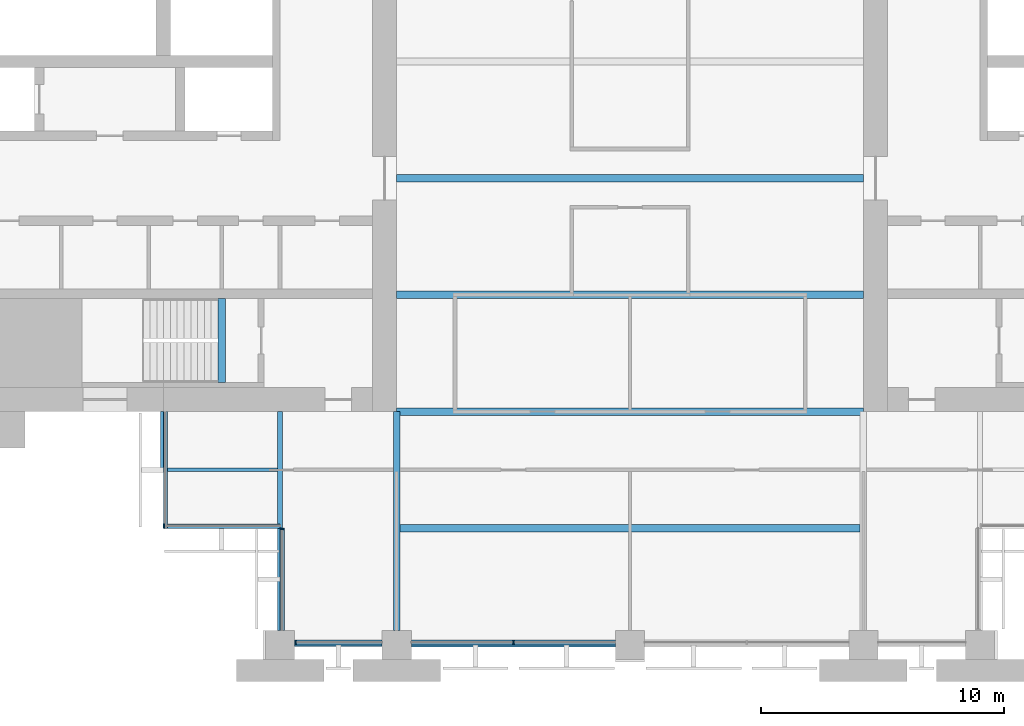
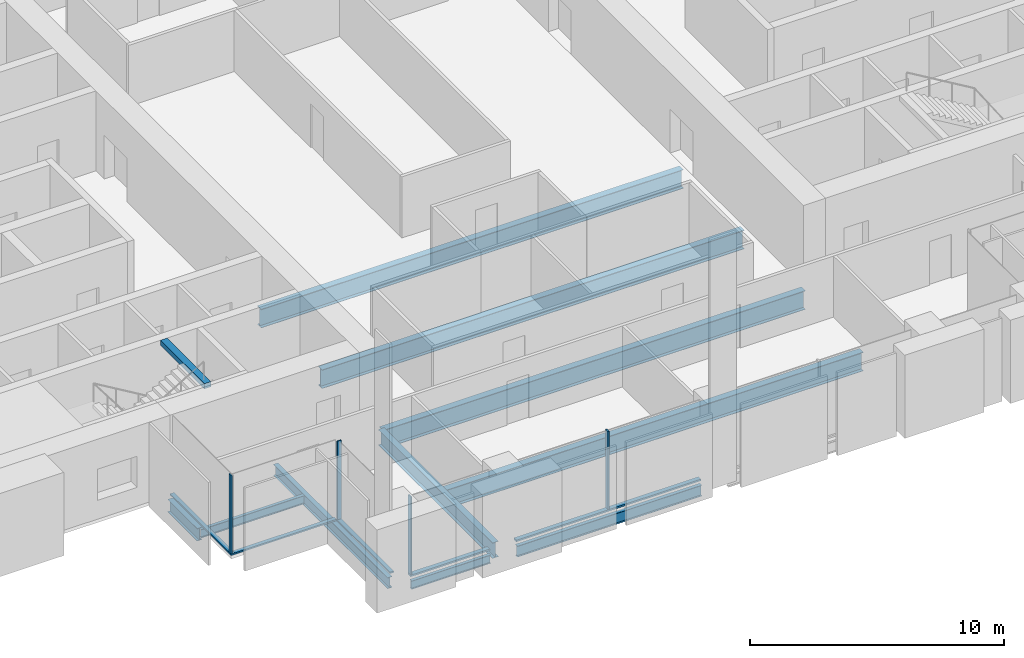
# One storey, part 2 of 14: 11 beams, 9 members, 4 elements without a shape of their own.
"""IFC4 building model written with IfcOpenShell, lengths in metres."""

from ifc_helpers import new_model, si_unit, direction, frame, origin, origin_2d, place, context, subcontext, project, spatial, rectangle, i_section, extrude, material, material_profile, profile_set, type_object, element, aggregate, save


model = new_model("IFC4")

# Units and contexts
model_context = context("Model", 3, precision=1e-05, world=origin(), true_north=direction((0.0, 1.0)))
body_context = subcontext(model_context, "Body", "Model", "MODEL_VIEW")
ifc_project = project(units=[si_unit("LENGTHUNIT", "METRE"), si_unit("AREAUNIT", "SQUARE_METRE"), si_unit("VOLUMEUNIT", "CUBIC_METRE"), si_unit("PLANEANGLEUNIT", "RADIAN"), si_unit("MASSUNIT", "GRAM", prefix="KILO")], contexts=[model_context])

# Site, building, storey
site_placement = place(None, origin())
site = spatial("IfcSite", under=ifc_project, at=site_placement, CompositionType="ELEMENT")
building_placement = place(site_placement, origin())
building = spatial("IfcBuilding", under=site, at=building_placement, Name="Baori Bourse Tower", CompositionType="ELEMENT")
storey_placement = place(building_placement, frame((0.0, 0.0, 108.10009765625)))
storey = spatial("IfcBuildingStorey", under=building, at=storey_placement, Name="L22", CompositionType="ELEMENT", Elevation=108.10009765625)

# Curtain wall, members
ifc_material_1 = material(Name="Pale anodised aluminium", Category="aluminium")
curtain_wall_type_1 = type_object("IfcCurtainWallType", Name="CW1 Curtain wall", PredefinedType="NOTDEFINED", material=ifc_material_1)
curtain_wall_1_placement = place(storey_placement, origin())
curtain_wall_1 = element("IfcCurtainWall", 1, at=curtain_wall_1_placement, inside=storey, type_object=curtain_wall_type_1, Name="Curtain wall CW1 L22 11", PredefinedType="NOTDEFINED")
ifc_material_2 = material(Name="Pale anodised aluminium", Category="aluminium")
ifc_material_profile_1 = material_profile(ifc_material_2, rectangle(XDim=0.199951171875, YDim=0.06005859375, at=origin_2d()), Name="Mullion 60x200")
ifc_profile_set_1 = profile_set([ifc_material_profile_1], Name="Pale anodised aluminium")
member_type_1 = type_object("IfcMemberType", Name="CW1 Curtain wall mullion", PredefinedType="MULLION", material=ifc_profile_set_1)
member_1_placement = place(storey_placement, frame((15.030029296875, 0.10009765625, 0.079833984375), z_axis=(0.0, 0.0, 1.0), x_axis=(0.0, 1.0, 0.0)))
member_1 = element("IfcMember", 2, at=member_1_placement, type_object=member_type_1, Name="Curtain wall CW1 mullion", PredefinedType="MULLION", context=body_context, shape_type="SweptSolid", body=[
    extrude(rectangle(XDim=0.199951171875, YDim=0.06005859375, at=origin_2d()), origin(), (0.0, 0.0, 1.0), 3.760009765625),
])
member_2_placement = place(storey_placement, frame((24.0, 0.10009765625, 0.079833984375), z_axis=(0.0, 0.0, 1.0), x_axis=(0.0, 1.0, 0.0)))
member_2 = element("IfcMember", 3, at=member_2_placement, type_object=member_type_1, Name="Curtain wall CW1 mullion", PredefinedType="MULLION", context=body_context, shape_type="SweptSolid", body=[
    extrude(rectangle(XDim=0.199951171875, YDim=0.06005859375, at=origin_2d()), origin(), (0.0, 0.0, 1.0), 3.760009765625),
])
ifc_material_3 = material(Name="Pale anodised aluminium", Category="aluminium")
ifc_material_profile_2 = material_profile(ifc_material_3, rectangle(XDim=0.199951171875, YDim=0.080078125, at=origin_2d()), Name="Transom 80x200")
ifc_profile_set_2 = profile_set([ifc_material_profile_2], Name="Pale anodised aluminium")
member_type_2 = type_object("IfcMemberType", Name="CW1 Curtain wall transom", PredefinedType="USERDEFINED", material=ifc_profile_set_2)
member_3_placement = place(storey_placement, frame((15.0, 0.10009765625, 0.039794921875), z_axis=(1.0, 0.0, 0.0), x_axis=(0.0, 1.0, 0.0)))
member_3 = element("IfcMember", 4, at=member_3_placement, type_object=member_type_2, Name="Curtain wall CW1 sill rail", ObjectType="TRANSOM", PredefinedType="USERDEFINED", context=body_context, shape_type="SweptSolid", body=[
    extrude(rectangle(XDim=0.199951171875, YDim=0.080078125, at=origin_2d()), origin(), (0.0, 0.0, 1.0), 3.60009765625),
])
member_4_placement = place(storey_placement, frame((19.800048828125, 0.10009765625, 0.039794921875), z_axis=(1.0, 0.0, 0.0), x_axis=(0.0, 1.0, 0.0)))
member_4 = element("IfcMember", 5, at=member_4_placement, type_object=member_type_2, Name="Curtain wall CW1 sill rail", ObjectType="TRANSOM", PredefinedType="USERDEFINED", context=body_context, shape_type="SweptSolid", body=[
    extrude(rectangle(XDim=0.199951171875, YDim=0.080078125, at=origin_2d()), origin(), (0.0, 0.0, 1.0), 8.39990234375),
])
aggregate(curtain_wall_1, [member_3, member_1, member_4, member_2])

# Curtain wall, member
ifc_material_4 = material(Name="Pale anodised aluminium", Category="aluminium")
curtain_wall_type_2 = type_object("IfcCurtainWallType", Name="CW2 Curtain wall", PredefinedType="NOTDEFINED", material=ifc_material_4)
curtain_wall_2_placement = place(storey_placement, origin())
curtain_wall_2 = element("IfcCurtainWall", 6, at=curtain_wall_2_placement, inside=storey, type_object=curtain_wall_type_2, Name="Curtain wall CW2 L22 9", PredefinedType="NOTDEFINED")
ifc_material_5 = material(Name="Pale anodised aluminium", Category="aluminium")
ifc_material_profile_3 = material_profile(ifc_material_5, rectangle(XDim=0.179931640625, YDim=0.054931640625, at=origin_2d()), Name="Mullion 55x180")
ifc_profile_set_3 = profile_set([ifc_material_profile_3], Name="Pale anodised aluminium")
member_type_3 = type_object("IfcMemberType", Name="CW2 Curtain wall mullion", PredefinedType="MULLION", material=ifc_profile_set_3)
member_5_placement = place(storey_placement, frame((9.62744140625, 4.889892578125, 0.06982421875), z_axis=(0.0, 0.0, 1.0), x_axis=(0.0, 1.0, 0.0)))
member_5 = element("IfcMember", 7, at=member_5_placement, type_object=member_type_3, Name="Curtain wall CW2 mullion", PredefinedType="MULLION", context=body_context, shape_type="SweptSolid", body=[
    extrude(rectangle(XDim=0.179931640625, YDim=0.054931640625, at=origin_2d()), origin(), (0.0, 0.0, 1.0), 3.77001953125),
])

curtain_wall_3_placement = place(storey_placement, origin())
curtain_wall_3 = element("IfcCurtainWall", 8, at=curtain_wall_3_placement, inside=storey, type_object=curtain_wall_type_2, Name="Curtain wall CW2 L22 10", PredefinedType="NOTDEFINED")
member_6_placement = place(storey_placement, frame((14.489990234375, 4.7724609375, 0.06982421875), z_axis=(0.0, 0.0, 1.0), x_axis=(1.0, 0.0, 0.0)))
member_6 = element("IfcMember", 9, at=member_6_placement, type_object=member_type_3, Name="Curtain wall CW2 mullion", PredefinedType="MULLION", context=body_context, shape_type="SweptSolid", body=[
    extrude(rectangle(XDim=0.179931640625, YDim=0.054931640625, at=origin_2d()), origin(), (0.0, 0.0, 1.0), 3.77001953125),
])

curtain_wall_4_placement = place(storey_placement, origin())
curtain_wall_4 = element("IfcCurtainWall", 10, at=curtain_wall_4_placement, inside=storey, type_object=curtain_wall_type_2, Name="Curtain wall CW2 L22 8", PredefinedType="NOTDEFINED")
ifc_material_6 = material(Name="Pale anodised aluminium", Category="aluminium")
ifc_material_profile_4 = material_profile(ifc_material_6, rectangle(XDim=0.179931640625, YDim=0.070068359375, at=origin_2d()), Name="Transom 70x180")
ifc_profile_set_4 = profile_set([ifc_material_profile_4], Name="Pale anodised aluminium")
member_type_4 = type_object("IfcMemberType", Name="CW2 Curtain wall transom", PredefinedType="USERDEFINED", material=ifc_profile_set_4)
member_7_placement = place(storey_placement, frame((9.68994140625, 9.60009765625, 0.034912109375), z_axis=(0.0, -1.0, 0.0), x_axis=(1.0, 0.0, 0.0)))
member_7 = element("IfcMember", 11, at=member_7_placement, type_object=member_type_4, Name="Curtain wall CW2 sill rail", ObjectType="TRANSOM", PredefinedType="USERDEFINED", context=body_context, shape_type="SweptSolid", body=[
    extrude(rectangle(XDim=0.179931640625, YDim=0.070068359375, at=origin_2d()), origin(), (0.0, 0.0, 1.0), 4.800048828125),
])
aggregate(curtain_wall_4, [member_7])

# Member
member_8_placement = place(storey_placement, frame((9.60009765625, 4.889892578125, 0.034912109375), z_axis=(1.0, 0.0, 0.0), x_axis=(0.0, 1.0, 0.0)))
member_8 = element("IfcMember", 12, at=member_8_placement, type_object=member_type_4, Name="Curtain wall CW2 sill rail", ObjectType="TRANSOM", PredefinedType="USERDEFINED", context=body_context, shape_type="SweptSolid", body=[
    extrude(rectangle(XDim=0.179931640625, YDim=0.070068359375, at=origin_2d()), origin(), (0.0, 0.0, 1.0), 4.7998046875),
])

aggregate(curtain_wall_2, [member_8, member_5])

member_9_placement = place(storey_placement, frame((14.489990234375, 4.800048828125, 0.034912109375), z_axis=(0.0, -1.0, 0.0), x_axis=(1.0, 0.0, 0.0)))
member_9 = element("IfcMember", 13, at=member_9_placement, type_object=member_type_4, Name="Curtain wall CW2 sill rail", ObjectType="TRANSOM", PredefinedType="USERDEFINED", context=body_context, shape_type="SweptSolid", body=[
    extrude(rectangle(XDim=0.179931640625, YDim=0.070068359375, at=origin_2d()), origin(), (0.0, 0.0, 1.0), 4.199951171875),
])

aggregate(curtain_wall_3, [member_9, member_6])

# Beams
ifc_material_7 = material(Name="Steel A992 Gr 50", Category="steel")
ifc_material_profile_5 = material_profile(ifc_material_7, i_section(OverallWidth=0.227783203125, OverallDepth=0.60205078125, WebThickness=0.010498046875, FlangeThickness=0.014892578125, at=origin_2d()), Name="W24x68")
ifc_profile_set_5 = profile_set([ifc_material_profile_5], Name="Steel A992 Gr 50")
beam_type_1 = type_object("IfcBeamType", Name="Core bracket W24x68", PredefinedType="BEAM", material=ifc_profile_set_5)
beam_1_placement = place(storey_placement, frame((9.60009765625, 7.270263671875, -0.461181640625), z_axis=(0.0, 1.0, 0.0), x_axis=(-1.0, 0.0, 0.0)))
element("IfcBeam", 14, at=beam_1_placement, inside=storey, type_object=beam_type_1, Name="Core bracket L22", PredefinedType="BEAM", context=body_context, shape_type="SweptSolid", body=[
    extrude(i_section(OverallWidth=0.227783203125, OverallDepth=0.60205078125, WebThickness=0.010498046875, FlangeThickness=0.014892578125, at=origin_2d()), origin(), (0.0, 0.0, 1.0), 2.329833984375),
])
ifc_material_8 = material(Name="Steel A992 Gr 50", Category="steel")
ifc_material_profile_6 = material_profile(ifc_material_8, i_section(OverallWidth=0.140380859375, OverallDepth=0.40380859375, WebThickness=0.007080078125, FlangeThickness=0.01123046875, at=origin_2d()), Name="W16x31")
ifc_profile_set_6 = profile_set([ifc_material_profile_6], Name="Steel A992 Gr 50")
beam_type_2 = type_object("IfcBeamType", Name="Edge beam W16x31", PredefinedType="BEAM", material=ifc_profile_set_6)
beam_2_placement = place(storey_placement, frame((15.0, 0.0, -0.362060546875), z_axis=(1.0, 0.0, 0.0), x_axis=(0.0, 1.0, 0.0)))
element("IfcBeam", 15, at=beam_2_placement, inside=storey, type_object=beam_type_2, Name="Edge beam L22", PredefinedType="BEAM", context=body_context, shape_type="SweptSolid", body=[
    extrude(i_section(OverallWidth=0.140380859375, OverallDepth=0.40380859375, WebThickness=0.007080078125, FlangeThickness=0.01123046875, at=origin_2d()), origin(), (0.0, 0.0, 1.0), 3.60009765625),
])
ifc_material_9 = material(Name="Steel A992 Gr 50", Category="steel")
ifc_material_profile_7 = material_profile(ifc_material_9, i_section(OverallWidth=0.1650390625, OverallDepth=0.52587890625, WebThickness=0.0087890625, FlangeThickness=0.011474609375, at=origin_2d()), Name="W21x44")
ifc_profile_set_7 = profile_set([ifc_material_profile_7], Name="Steel A992 Gr 50")
beam_type_3 = type_object("IfcBeamType", Name="Edge beam W21x44", PredefinedType="BEAM", material=ifc_profile_set_7)
beam_3_placement = place(storey_placement, frame((19.800048828125, 0.0, -0.423095703125), z_axis=(1.0, 0.0, 0.0), x_axis=(0.0, 1.0, 0.0)))
element("IfcBeam", 16, at=beam_3_placement, inside=storey, type_object=beam_type_3, Name="Edge beam L22", PredefinedType="BEAM", context=body_context, shape_type="SweptSolid", body=[
    extrude(i_section(OverallWidth=0.1650390625, OverallDepth=0.52587890625, WebThickness=0.0087890625, FlangeThickness=0.011474609375, at=origin_2d()), origin(), (0.0, 0.0, 1.0), 8.39990234375),
])
ifc_material_10 = material(Name="Steel A992 Gr 50", Category="steel")
ifc_material_profile_8 = material_profile(ifc_material_10, i_section(OverallWidth=0.209228515625, OverallDepth=0.533447265625, WebThickness=0.01025390625, FlangeThickness=0.015625, at=origin_2d()), Name="W21x62")
ifc_profile_set_8 = profile_set([ifc_material_profile_8], Name="Steel A992 Gr 50")
beam_type_4 = type_object("IfcBeamType", Name="Floor beam W21x62", PredefinedType="BEAM", material=ifc_profile_set_8)
beam_4_placement = place(storey_placement, frame((14.39990234375, 0.60009765625, -0.4267578125), z_axis=(0.0, 1.0, 0.0), x_axis=(-1.0, 0.0, 0.0)))
element("IfcBeam", 17, at=beam_4_placement, inside=storey, type_object=beam_type_4, Name="Floor beam L22", PredefinedType="BEAM", context=body_context, shape_type="SweptSolid", body=[
    extrude(i_section(OverallWidth=0.209228515625, OverallDepth=0.533447265625, WebThickness=0.01025390625, FlangeThickness=0.015625, at=origin_2d()), origin(), (0.0, 0.0, 1.0), 9.0),
])
ifc_material_11 = material(Name="Steel A992 Gr 50", Category="steel")
ifc_material_profile_9 = material_profile(ifc_material_11, i_section(OverallWidth=0.3046875, OverallDepth=0.904296875, WebThickness=0.01513671875, FlangeThickness=0.02001953125, at=origin_2d()), Name="W36x135")
ifc_profile_set_9 = profile_set([ifc_material_profile_9], Name="Steel A992 Gr 50")
beam_type_5 = type_object("IfcBeamType", Name="Floor beam W36x135", PredefinedType="BEAM", material=ifc_profile_set_9)
beam_5_placement = place(storey_placement, frame((19.33203125, 4.800048828125, -0.6123046875), z_axis=(1.0, 0.0, 0.0), x_axis=(0.0, 1.0, 0.0)))
element("IfcBeam", 18, at=beam_5_placement, inside=storey, type_object=beam_type_5, Name="Floor beam L22", PredefinedType="BEAM", context=body_context, shape_type="SweptSolid", body=[
    extrude(i_section(OverallWidth=0.3046875, OverallDepth=0.904296875, WebThickness=0.01513671875, FlangeThickness=0.02001953125, at=origin_2d()), origin(), (0.0, 0.0, 1.0), 18.935791015625),
])
for number, where, z_axis, x_axis, name in (
    (19, (19.199951171875, 9.60009765625, -0.6123046875), (1.0, 0.0, 0.0), (0.0, 1.0, 0.0), "Floor beam L22"),
    (20, (19.199951171875, 14.39990234375, -0.6123046875), (1.0, 0.0, 0.0), (0.0, 1.0, 0.0), "Floor beam L22"),
    (21, (19.199951171875, 19.199951171875, -0.6123046875), (1.0, 0.0, 0.0), (0.0, 1.0, 0.0), "Floor beam L22"),
):
    element("IfcBeam", number, at=place(storey_placement, frame(where, z_axis=z_axis, x_axis=x_axis)), inside=storey, type_object=beam_type_5, Name=name, PredefinedType="BEAM", context=body_context, shape_type="SweptSolid", body=[
        extrude(i_section(OverallWidth=0.3046875, OverallDepth=0.904296875, WebThickness=0.01513671875, FlangeThickness=0.02001953125, at=origin_2d()), origin(), (0.0, 0.0, 1.0), 19.199951171875),
    ])
ifc_material_12 = material(Name="Steel A992 Gr 50", Category="steel")
ifc_material_profile_10 = material_profile(ifc_material_12, i_section(OverallWidth=0.26416015625, OverallDepth=0.749267578125, WebThickness=0.011962890625, FlangeThickness=0.015380859375, at=origin_2d()), Name="W30x90")
ifc_profile_set_10 = profile_set([ifc_material_profile_10], Name="Steel A992 Gr 50")
beam_type_6 = type_object("IfcBeamType", Name="Girder W30x90", PredefinedType="BEAM", material=ifc_profile_set_10)
beam_6_placement = place(storey_placement, frame((19.199951171875, 0.60009765625, -0.53466796875), z_axis=(0.0, 1.0, 0.0), x_axis=(-1.0, 0.0, 0.0)))
element("IfcBeam", 22, at=beam_6_placement, inside=storey, type_object=beam_type_6, Name="Girder L22", PredefinedType="BEAM", context=body_context, shape_type="SweptSolid", body=[
    extrude(i_section(OverallWidth=0.26416015625, OverallDepth=0.749267578125, WebThickness=0.011962890625, FlangeThickness=0.015380859375, at=origin_2d()), origin(), (0.0, 0.0, 1.0), 9.0),
])
ifc_material_13 = material(Name="Concrete f'c 50 MPa", Category="concrete")
ifc_material_profile_11 = material_profile(ifc_material_13, rectangle(XDim=0.300048828125, YDim=0.25, at=origin_2d()), Name="RC 300x250")
ifc_profile_set_11 = profile_set([ifc_material_profile_11], Name="Concrete f'c 50 MPa")
beam_type_7 = type_object("IfcBeamType", Name="Stair nib beam RC 300x250", PredefinedType="BEAM", material=ifc_profile_set_11)
beam_7_placement = place(storey_placement, frame((12.0, 10.800048828125, 3.71484375), z_axis=(0.0, 1.0, 0.0), x_axis=(-1.0, 0.0, 0.0)))
element("IfcBeam", 23, at=beam_7_placement, inside=storey, type_object=beam_type_7, Name="Stair WA nib beam L23", PredefinedType="BEAM", context=body_context, shape_type="SweptSolid", body=[
    extrude(rectangle(XDim=0.300048828125, YDim=0.25, at=origin_2d()), origin(), (0.0, 0.0, 1.0), 3.449951171875),
])
ifc_material_14 = material(Name="Steel A992 Gr 50", Category="steel")
ifc_material_profile_12 = material_profile(ifc_material_14, i_section(OverallWidth=0.140380859375, OverallDepth=0.40380859375, WebThickness=0.007080078125, FlangeThickness=0.01123046875, at=origin_2d()), Name="W16x31")
ifc_profile_set_12 = profile_set([ifc_material_profile_12], Name="Steel A992 Gr 50")
beam_type_8 = type_object("IfcBeamType", Name="Trimmer beam W16x31", PredefinedType="BEAM", material=ifc_profile_set_12)
beam_8_placement = place(storey_placement, frame((9.60009765625, 7.199951171875, -0.362060546875), z_axis=(1.0, 0.0, 0.0), x_axis=(0.0, 1.0, 0.0)))
element("IfcBeam", 24, at=beam_8_placement, inside=storey, type_object=beam_type_8, Name="Trimmer beam L22", PredefinedType="BEAM", context=body_context, shape_type="SweptSolid", body=[
    extrude(i_section(OverallWidth=0.140380859375, OverallDepth=0.40380859375, WebThickness=0.007080078125, FlangeThickness=0.01123046875, at=origin_2d()), origin(), (0.0, 0.0, 1.0), 4.6953125),
])

save(model, "model.ifc")
